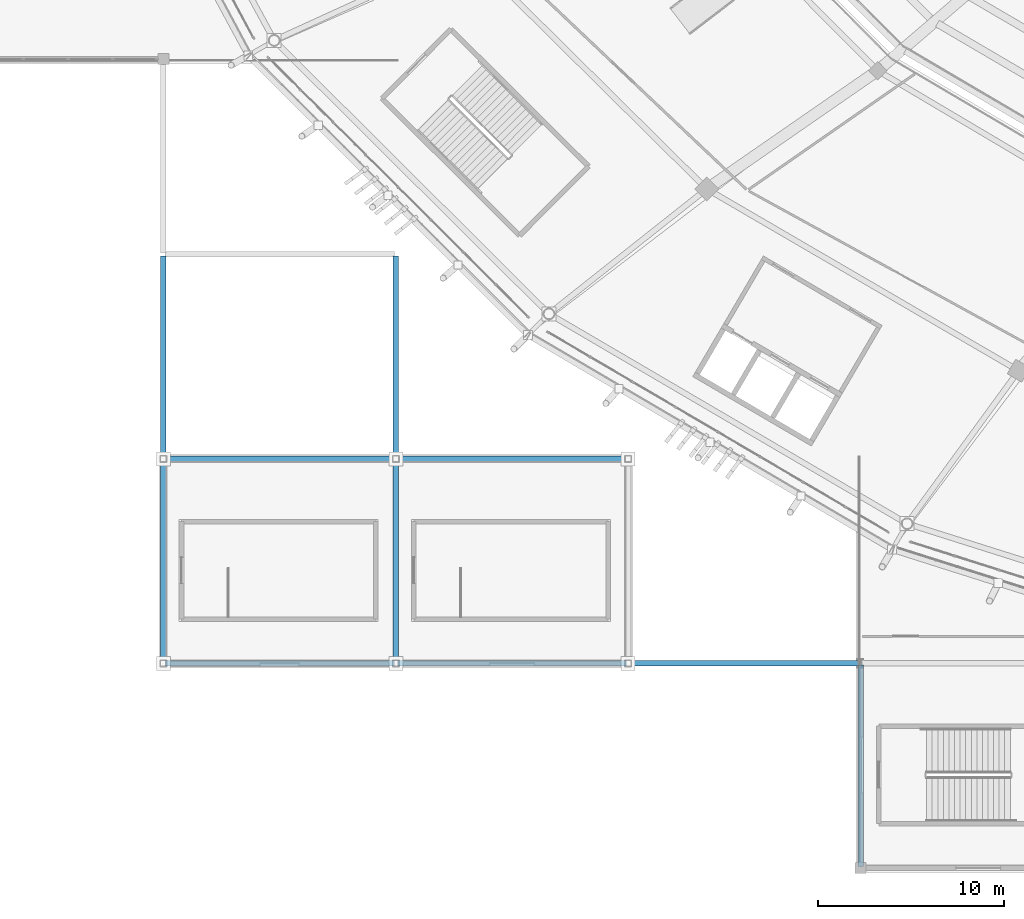
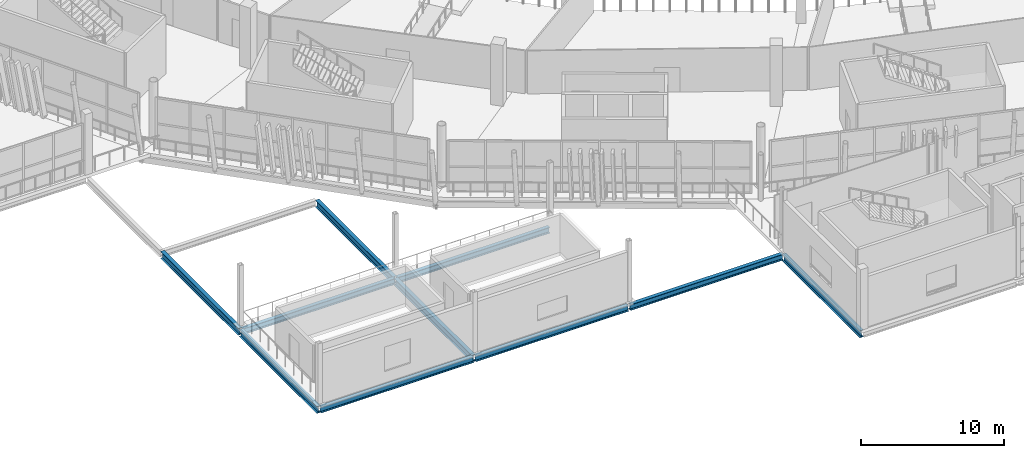
# One storey, part 24 of 178: 10 beams.
"""IFC4 building model written with IfcOpenShell, lengths in metres."""

import ifcopenshell
import ifcopenshell.guid

model = None  # the IFC model being written
_history = None  # IfcOwnerHistory: only IFC2X3 demands one
_inside = {}  # id of a spatial element -> (the spatial element, [elements in it])
_under = {}  # id of a project, library or spatial element -> (it, [spatial elements below it])
_declared = {}  # id of a project -> (the project, [libraries it declares])
_typed = {}  # id of a type object -> (the type object, [elements of that type])
_made_of = {}  # id of a material, layer set ... -> (it, [elements and type objects made of it])


def new_model(schema):
    """Start an empty IFC model of exactly this schema.

    Asked for "IFC4X3", IfcOpenShell would pick the latest addendum, in which some entities
    have other attributes; the version numbers below select the first issue.
    IFC2X3 requires an IfcOwnerHistory on every rooted entity: one is made here for all.
    """
    global model, _history
    if schema == "IFC4X3":
        model = ifcopenshell.file(schema_version=(4, 3, 0, 0))
    else:
        model = ifcopenshell.file(schema=schema)
    _inside.clear()
    _under.clear()
    _declared.clear()
    _typed.clear()
    _made_of.clear()
    _history = None
    if model.schema == "IFC2X3":
        org = make("IfcOrganization", Name="unknown")
        user = make(
            "IfcPersonAndOrganization",
            ThePerson=make("IfcPerson", FamilyName="unknown"),
            TheOrganization=org,
        )
        app = make(
            "IfcApplication",
            ApplicationDeveloper=org,
            Version="unknown",
            ApplicationFullName="unknown",
            ApplicationIdentifier="unknown",
        )
        _history = make(
            "IfcOwnerHistory",
            OwningUser=user,
            OwningApplication=app,
            ChangeAction="ADDED",
            CreationDate=0,
        )
    return model


def make(cls, **values):
    """One entity of the class cls with the attributes given. An attribute that is None is left unset."""
    return model.create_entity(
        cls, **{name: value for name, value in values.items() if value is not None}
    )


def rooted(cls, **values):
    """An entity with a GlobalId (a new one), such as an element, a storey or a relation."""
    return make(cls, GlobalId=ifcopenshell.guid.new(), OwnerHistory=_history, **values)


def si_unit(unit_type, name, prefix=None):
    """IfcSIUnit, for example si_unit("LENGTHUNIT", "METRE", prefix="MILLI")."""
    return make("IfcSIUnit", UnitType=unit_type, Prefix=prefix, Name=name)


def assignment(units):
    """IfcUnitAssignment: the units of a project."""
    return None if units is None else make("IfcUnitAssignment", Units=units)


def point(xyz):
    """IfcCartesianPoint."""
    return None if xyz is None else make("IfcCartesianPoint", Coordinates=xyz)


def direction(xyz):
    """IfcDirection."""
    return None if xyz is None else make("IfcDirection", DirectionRatios=xyz)


def frame(location, z_axis=None, x_axis=None):
    """IfcAxis2Placement3D, a coordinate frame: its origin and axes. An axis left out is left unset."""
    return make(
        "IfcAxis2Placement3D",
        Location=point(location),
        Axis=direction(z_axis),
        RefDirection=direction(x_axis),
    )


def frame_2d(location, x_axis=None):
    """IfcAxis2Placement2D, a coordinate frame in the plane: its origin and x axis."""
    return make(
        "IfcAxis2Placement2D", Location=point(location), RefDirection=direction(x_axis)
    )


def origin():
    """The frame at (0, 0, 0) with its axes left unset."""
    return frame((0.0, 0.0, 0.0))


def origin_2d():
    """The frame at (0, 0) in the plane with its x axis left unset."""
    return frame_2d((0.0, 0.0))


def place(relative_to, where):
    """IfcLocalPlacement: puts the frame where relative to a parent placement (None: the world)."""
    return make(
        "IfcLocalPlacement", PlacementRelTo=relative_to, RelativePlacement=where
    )


def context(
    kind, dimensions, precision=None, world=None, true_north=None, identifier=None
):
    """IfcGeometricRepresentationContext, for example the 3D "Model" context."""
    return make(
        "IfcGeometricRepresentationContext",
        ContextIdentifier=identifier,
        ContextType=kind,
        CoordinateSpaceDimension=dimensions,
        Precision=precision,
        WorldCoordinateSystem=world,
        TrueNorth=true_north,
    )


def subcontext(parent, identifier, kind, view, scale=None):
    """IfcGeometricRepresentationSubContext, for example "Body" below "Model"."""
    return make(
        "IfcGeometricRepresentationSubContext",
        ContextIdentifier=identifier,
        ContextType=kind,
        ParentContext=parent,
        TargetScale=scale,
        TargetView=view,
    )


def project(units=None, contexts=None):
    """IfcProject with its units and contexts."""
    return rooted(
        "IfcProject",
        Name="project",
        RepresentationContexts=contexts,
        UnitsInContext=assignment(units),
    )


def spatial(cls, under=None, at=None, **own):
    """A site, building, storey or space (cls), placed at a placement, below another one or the project."""
    s = rooted(cls, ObjectPlacement=at, **own)
    if under is not None:
        _under.setdefault(under.id(), (under, []))[1].append(s)
    return s


def profile(cls, at=None, kind="AREA", **sizes):
    """A parametric profile (cls). Its sizes go by their IFC names, for example OverallWidth=200.0."""
    return make(cls, ProfileType=kind, Position=at, **sizes)


def i_section(**sizes):
    """IfcIShapeProfileDef."""
    return profile("IfcIShapeProfileDef", **sizes)


def extrude(swept, where, along, depth):
    """IfcExtrudedAreaSolid: the profile swept, set in the frame where, extruded along a direction by depth."""
    return make(
        "IfcExtrudedAreaSolid",
        SweptArea=swept,
        Position=where,
        ExtrudedDirection=direction(along),
        Depth=depth,
    )


def shape(context_of_items, identifier, shape_type, items):
    """IfcShapeRepresentation: the items that make up one representation, for example the "Body"."""
    return make(
        "IfcShapeRepresentation",
        ContextOfItems=context_of_items,
        RepresentationIdentifier=identifier,
        RepresentationType=shape_type,
        Items=items,
    )


def material(Name=None, Category=None):
    """IfcMaterial."""
    return make("IfcMaterial", Name=Name, Category=Category)


def material_profile(
    of_material, cross_section, Name=None, Category=None, Priority=None
):
    """IfcMaterialProfile: a cross section and its material."""
    return make(
        "IfcMaterialProfile",
        Name=Name,
        Material=of_material,
        Profile=cross_section,
        Priority=Priority,
        Category=Category,
    )


def profile_set(profiles, Name=None, composite=None):
    """IfcMaterialProfileSet."""
    return make(
        "IfcMaterialProfileSet",
        Name=Name,
        MaterialProfiles=profiles,
        CompositeProfile=composite,
    )


def made_of(thing, what):
    """Note that an element or type object is made of a material, layer set ...; save() writes the relation."""
    if what is not None:
        _made_of.setdefault(what.id(), (what, []))[1].append(thing)
    return thing


def type_object(cls, material=None, **own):
    """A type object (cls), such as IfcWallType, which elements share."""
    return made_of(rooted(cls, **own), material)


def element(
    cls,
    number,
    at=None,
    inside=None,
    cuts=None,
    type_object=None,
    material=None,
    context=None,
    identifier="Body",
    shape_type=None,
    held_by="IfcProductDefinitionShape",
    body=None,
    shapes=None,
    **own,
):
    """One element of the class cls, such as IfcWall. Its Tag is "e" and its number.

    at: its placement. inside: the storey or other place that contains it. cuts: it is an
    opening in that element (IfcRelVoidsElement). A single representation is given by context,
    identifier, shape_type and body (its items); several are given by shapes. held_by: the class
    of the entity that holds the representations. save() writes the other relations.
    """
    e = rooted(cls, Tag="e%d" % number, ObjectPlacement=at, **own)
    if body is not None:
        shapes = [shape(context, identifier, shape_type, body)]
    if shapes is not None:
        e.Representation = make(held_by, Representations=shapes)
    if inside is not None:
        _inside.setdefault(inside.id(), (inside, []))[1].append(e)
    if cuts is not None:
        rooted(
            "IfcRelVoidsElement", RelatingBuildingElement=cuts, RelatedOpeningElement=e
        )
    if type_object is not None:
        _typed.setdefault(type_object.id(), (type_object, []))[1].append(e)
    return made_of(e, material)


def aggregate(whole, parts):
    """IfcRelAggregates: a whole, such as a stair, and the parts it consists of."""
    return rooted("IfcRelAggregates", RelatingObject=whole, RelatedObjects=parts)


def save(model, path):
    """Write the relations noted so far, then the file.

    IfcRelAggregates (storeys below a building ...), IfcRelContainedInSpatialStructure (elements
    in a storey), IfcRelDefinesByType, IfcRelAssociatesMaterial and IfcRelDeclares: one each for
    every whole, place, type object, material and project.
    """
    for whole, parts in _under.values():
        aggregate(whole, parts)
    for where, things in _inside.values():
        rooted(
            "IfcRelContainedInSpatialStructure",
            RelatedElements=things,
            RelatingStructure=where,
        )
    for kind, things in _typed.values():
        rooted("IfcRelDefinesByType", RelatedObjects=things, RelatingType=kind)
    for what, things in _made_of.values():
        rooted("IfcRelAssociatesMaterial", RelatedObjects=things, RelatingMaterial=what)
    for by, libraries in _declared.values():
        rooted("IfcRelDeclares", RelatingContext=by, RelatedDefinitions=libraries)
    model.write(path)


model = new_model("IFC4")

# Units and contexts
model_context = context("Model", 3, precision=1e-05, world=origin(), true_north=direction((0.0, 1.0)))
body_context = subcontext(model_context, "Body", "Model", "MODEL_VIEW")
ifc_project = project(units=[si_unit("LENGTHUNIT", "METRE"), si_unit("AREAUNIT", "SQUARE_METRE"), si_unit("VOLUMEUNIT", "CUBIC_METRE"), si_unit("PLANEANGLEUNIT", "RADIAN"), si_unit("MASSUNIT", "GRAM", prefix="KILO")], contexts=[model_context])

# Site, building, storey
site_placement = place(None, origin())
site = spatial("IfcSite", under=ifc_project, at=site_placement, CompositionType="ELEMENT")
building_placement = place(site_placement, origin())
building = spatial("IfcBuilding", under=site, at=building_placement, Name="Zlatoyarsky Gate Stadium", CompositionType="ELEMENT")
storey_placement = place(building_placement, frame((0.0, 0.0, 5.39990234375)))
storey = spatial("IfcBuildingStorey", under=building, at=storey_placement, Name="L01", CompositionType="ELEMENT", Elevation=5.39990234375)

# Beams
ifc_material = material(Name="Steel S355", Category="steel")
ifc_material_profile_1 = material_profile(ifc_material, i_section(OverallWidth=0.300048828125, OverallDepth=0.5, WebThickness=0.014404296875, FlangeThickness=0.028076171875, FilletRadius=0.027099609375, at=origin_2d()), Name="HEB 500")
ifc_profile_set_1 = profile_set([ifc_material_profile_1], Name="Steel S355")
beam_type_1 = type_object("IfcBeamType", Name="STEEL PRIMARY GIRDER HEB 500", PredefinedType="BEAM", material=ifc_profile_set_1)
for number, where, z_axis, x_axis, name in (
    (1, (24.580078125, 11.0, -0.5498046875), (1.0, 0.0, 0.0), (0.0, 1.0, 0.0), "Beam G-HEB500 BM-L01-WGX-3-B"),
    (2, (24.580078125, 22.0, -0.5498046875), (1.0, 0.0, 0.0), (0.0, 1.0, 0.0), "Beam G-HEB500 BM-L01-WGX-3-C"),
    (3, (37.080078125, 11.0, -0.5498046875), (1.0, 0.0, 0.0), (0.0, 1.0, 0.0), "Beam G-HEB500 BM-L01-WGX-4-B"),
    (4, (37.080078125, 22.0, -0.5498046875), (1.0, 0.0, 0.0), (0.0, 1.0, 0.0), "Beam G-HEB500 BM-L01-WGX-4-C"),
    (5, (49.580078125, 11.0, -0.5498046875), (1.0, 0.0, 0.0), (0.0, 1.0, 0.0), "Beam G-HEB500 BM-L01-WGX-5-B"),
):
    element("IfcBeam", number, at=place(storey_placement, frame(where, z_axis=z_axis, x_axis=x_axis)), inside=storey, type_object=beam_type_1, Name=name, PredefinedType="BEAM", context=body_context, shape_type="SweptSolid", body=[
        extrude(i_section(OverallWidth=0.300048828125, OverallDepth=0.5, WebThickness=0.014404296875, FlangeThickness=0.028076171875, FilletRadius=0.027099609375, at=origin_2d()), origin(), (0.0, 0.0, 1.0), 12.33984375),
    ])
ifc_material_profile_2 = material_profile(ifc_material, i_section(OverallWidth=0.300048828125, OverallDepth=0.60009765625, WebThickness=0.015380859375, FlangeThickness=0.030029296875, FilletRadius=0.027099609375, at=origin_2d()), Name="HEB 600")
ifc_profile_set_2 = profile_set([ifc_material_profile_2], Name="Steel S355")
beam_type_2 = type_object("IfcBeamType", Name="STEEL PRIMARY GIRDER HEB 600", PredefinedType="BEAM", material=ifc_profile_set_2)
for number, where, z_axis, x_axis, name in (
    (6, (24.5, 11.080078125, -0.599853515625), (0.0, 1.0, 0.0), (-1.0, 0.0, 0.0), "Beam G-HEB600 BM-L01-WGY-3-B"),
    (7, (24.5, 22.080078125, -0.599853515625), (0.0, 1.0, 0.0), (-1.0, 0.0, 0.0), "Beam G-HEB600 BM-L01-WGY-3-C"),
    (8, (37.0, 11.080078125, -0.599853515625), (0.0, 1.0, 0.0), (-1.0, 0.0, 0.0), "Beam G-HEB600 BM-L01-WGY-4-B"),
    (9, (37.0, 22.080078125, -0.599853515625), (0.0, 1.0, 0.0), (-1.0, 0.0, 0.0), "Beam G-HEB600 BM-L01-WGY-4-C"),
    (10, (62.0, 0.080078125, -0.599853515625), (0.0, 1.0, 0.0), (-1.0, 0.0, 0.0), "Beam G-HEB600 BM-L01-WGY-6-A"),
):
    element("IfcBeam", number, at=place(storey_placement, frame(where, z_axis=z_axis, x_axis=x_axis)), inside=storey, type_object=beam_type_2, Name=name, PredefinedType="BEAM", context=body_context, shape_type="SweptSolid", body=[
        extrude(i_section(OverallWidth=0.300048828125, OverallDepth=0.60009765625, WebThickness=0.015380859375, FlangeThickness=0.030029296875, FilletRadius=0.027099609375, at=origin_2d()), origin(), (0.0, 0.0, 1.0), 10.83984375),
    ])

save(model, "model.ifc")
